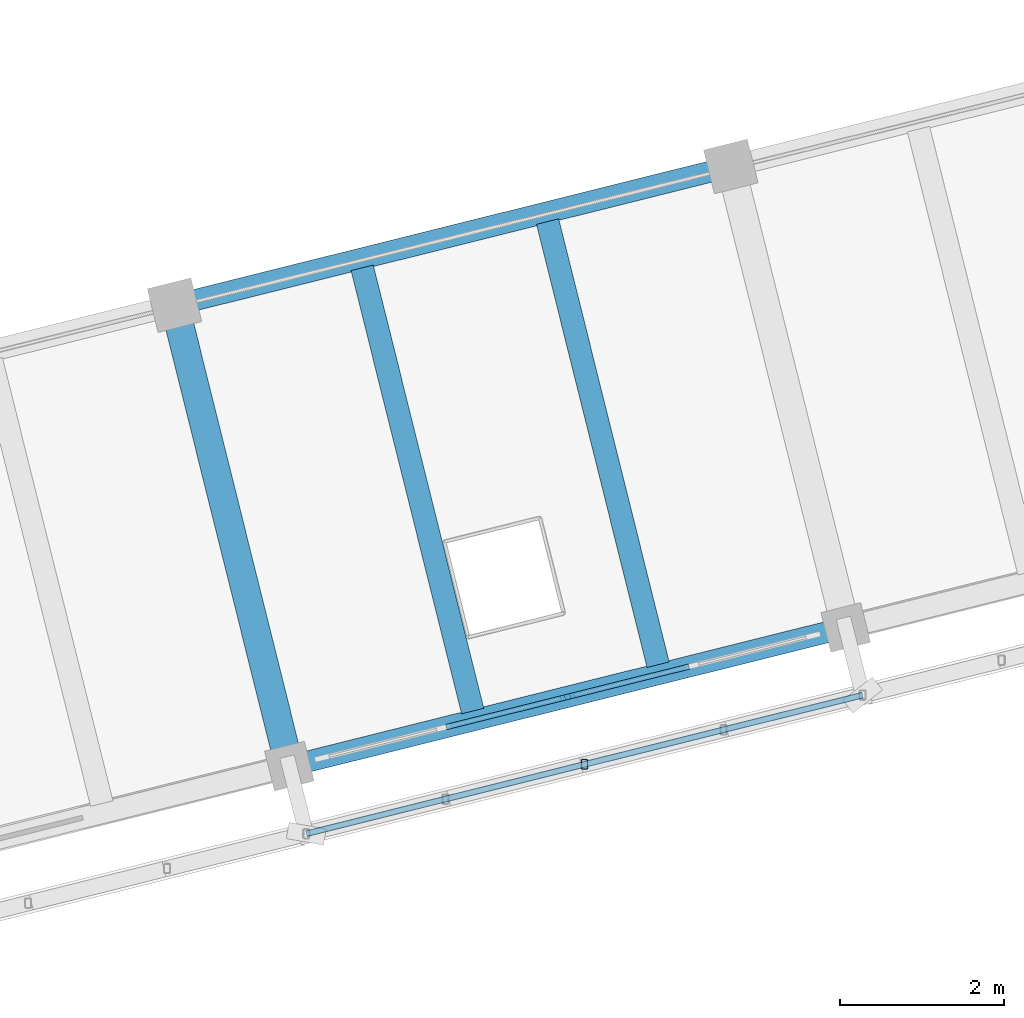
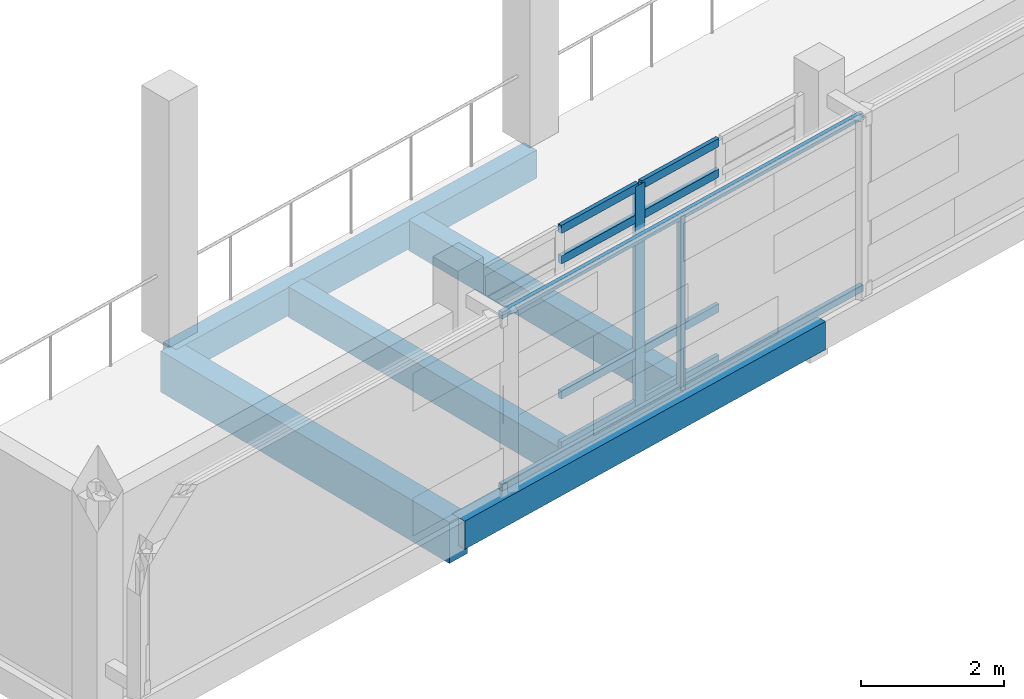
# One storey, part 6 of 137: 12 members, 5 beams, 1 element without a shape of its own.
"""IFC4 building model written with IfcOpenShell, lengths in metres."""

from ifc_helpers import new_model, si_unit, direction, frame, origin, origin_2d, place, context, subcontext, project, spatial, rectangle, hollow_rectangle, extrude, material, material_profile, profile_set, type_object, element, aggregate, save


model = new_model("IFC4")

# Units and contexts
model_context = context("Model", 3, precision=1e-05, world=origin(), true_north=direction((0.0, 1.0)))
body_context = subcontext(model_context, "Body", "Model", "MODEL_VIEW")
ifc_project = project(units=[si_unit("LENGTHUNIT", "METRE"), si_unit("AREAUNIT", "SQUARE_METRE"), si_unit("VOLUMEUNIT", "CUBIC_METRE"), si_unit("PLANEANGLEUNIT", "RADIAN"), si_unit("MASSUNIT", "GRAM", prefix="KILO")], contexts=[model_context])

# Site, building, storey
site_placement = place(None, origin())
site = spatial("IfcSite", under=ifc_project, at=site_placement, CompositionType="ELEMENT")
building_placement = place(site_placement, origin())
building = spatial("IfcBuilding", under=site, at=building_placement, Name="Cinderway Yard Community Centre", CompositionType="ELEMENT")
storey_placement = place(building_placement, frame((0.0, 0.0, 4.800048828125)))
storey = spatial("IfcBuildingStorey", under=building, at=storey_placement, Name="L01", CompositionType="ELEMENT", Elevation=4.800048828125)

# Curtain wall, members
ifc_material_1 = material(Name="Aluminium 6063-T6", Category="aluminium")
curtain_wall_type = type_object("IfcCurtainWallType", Name="ENV-CW-TYPE-05", PredefinedType="USERDEFINED", material=ifc_material_1)
curtain_wall_placement = place(storey_placement, origin())
curtain_wall = element("IfcCurtainWall", 1, at=curtain_wall_placement, inside=storey, type_object=curtain_wall_type, Name="Sanctuary South Curtain Wall ENV-CW-L01-HS-0017", ObjectType="GLAZED CURTAIN WALL", PredefinedType="USERDEFINED")
ifc_material_profile_1 = material_profile(ifc_material_1, rectangle(XDim=0.06494140625, YDim=0.179931640625, at=origin_2d()), Name="Aluminium 6063-T6")
ifc_profile_set_1 = profile_set([ifc_material_profile_1], Name="Aluminium 6063-T6")
member_type_1 = type_object("IfcMemberType", Name="ENV-CW-MULL-180", PredefinedType="MULLION", material=ifc_profile_set_1)
member_1_placement = place(storey_placement, frame((38.193115234375, 23.722412109375, 0.0), z_axis=(0.0, 0.0, 1.0), x_axis=(-0.241856748919, 0.970311966845, 0.0)))
member_1 = element("IfcMember", 2, at=member_1_placement, type_object=member_type_1, Name="CW-05 mullion 3", PredefinedType="MULLION", context=body_context, shape_type="SweptSolid", body=[
    extrude(rectangle(XDim=0.06494140625, YDim=0.179931640625, at=origin_2d()), origin(), (0.0, 0.0, 1.0), 3.75),
])
ifc_material_profile_2 = material_profile(ifc_material_1, rectangle(XDim=0.06494140625, YDim=0.139892578125, at=origin_2d()), Name="Aluminium 6063-T6")
ifc_profile_set_2 = profile_set([ifc_material_profile_2], Name="Aluminium 6063-T6")
member_type_2 = type_object("IfcMemberType", Name="ENV-CW-TRAN-140", PredefinedType="USERDEFINED", material=ifc_profile_set_2)
member_2_placement = place(storey_placement, frame((36.70849609375, 23.3525390625, 0.030029296875), z_axis=(0.970305057205, 0.241884468211, 0.0), x_axis=(-0.241884468211, 0.970305057205, 0.0)))
member_2 = element("IfcMember", 3, at=member_2_placement, type_object=member_type_2, Name="CW-05 transom 2.1", ObjectType="TRANSOM", PredefinedType="USERDEFINED", context=body_context, shape_type="SweptSolid", body=[
    extrude(rectangle(XDim=0.06494140625, YDim=0.139892578125, at=origin_2d()), origin(), (0.0, 0.0, 1.0), 1.499755859375),
])
member_3_placement = place(storey_placement, frame((36.70849609375, 23.3525390625, 0.89990234375), z_axis=(0.970305057205, 0.241884468211, 0.0), x_axis=(-0.241884468211, 0.970305057205, 0.0)))
member_3 = element("IfcMember", 4, at=member_3_placement, type_object=member_type_2, Name="CW-05 transom 2.2", ObjectType="TRANSOM", PredefinedType="USERDEFINED", context=body_context, shape_type="SweptSolid", body=[
    extrude(rectangle(XDim=0.06494140625, YDim=0.139892578125, at=origin_2d()), origin(), (0.0, 0.0, 1.0), 1.499755859375),
])
member_4_placement = place(storey_placement, frame((36.70849609375, 23.3525390625, 3.199951171875), z_axis=(0.970305057205, 0.241884468211, 0.0), x_axis=(-0.241884468211, 0.970305057205, 0.0)))
member_4 = element("IfcMember", 5, at=member_4_placement, type_object=member_type_2, Name="CW-05 transom 2.3", ObjectType="TRANSOM", PredefinedType="USERDEFINED", context=body_context, shape_type="SweptSolid", body=[
    extrude(rectangle(XDim=0.06494140625, YDim=0.139892578125, at=origin_2d()), origin(), (0.0, 0.0, 1.0), 1.499755859375),
])
member_5_placement = place(storey_placement, frame((36.70849609375, 23.3525390625, 3.719970703125), z_axis=(0.970305057205, 0.241884468211, 0.0), x_axis=(-0.241884468211, 0.970305057205, 0.0)))
member_5 = element("IfcMember", 6, at=member_5_placement, type_object=member_type_2, Name="CW-05 transom 2.4", ObjectType="TRANSOM", PredefinedType="USERDEFINED", context=body_context, shape_type="SweptSolid", body=[
    extrude(rectangle(XDim=0.06494140625, YDim=0.139892578125, at=origin_2d()), origin(), (0.0, 0.0, 1.0), 1.499755859375),
])
member_6_placement = place(storey_placement, frame((38.22216796875, 23.729736328125, 0.030029296875), z_axis=(0.970305057205, 0.241884468211, 0.0), x_axis=(-0.241884468211, 0.970305057205, 0.0)))
member_6 = element("IfcMember", 7, at=member_6_placement, type_object=member_type_2, Name="CW-05 transom 3.1", ObjectType="TRANSOM", PredefinedType="USERDEFINED", context=body_context, shape_type="SweptSolid", body=[
    extrude(rectangle(XDim=0.06494140625, YDim=0.139892578125, at=origin_2d()), origin(), (0.0, 0.0, 1.0), 1.499755859375),
])
member_7_placement = place(storey_placement, frame((38.22216796875, 23.729736328125, 0.89990234375), z_axis=(0.970305057205, 0.241884468211, 0.0), x_axis=(-0.241884468211, 0.970305057205, 0.0)))
member_7 = element("IfcMember", 8, at=member_7_placement, type_object=member_type_2, Name="CW-05 transom 3.2", ObjectType="TRANSOM", PredefinedType="USERDEFINED", context=body_context, shape_type="SweptSolid", body=[
    extrude(rectangle(XDim=0.06494140625, YDim=0.139892578125, at=origin_2d()), origin(), (0.0, 0.0, 1.0), 1.499755859375),
])
member_8_placement = place(storey_placement, frame((38.22216796875, 23.729736328125, 3.199951171875), z_axis=(0.970305057205, 0.241884468211, 0.0), x_axis=(-0.241884468211, 0.970305057205, 0.0)))
member_8 = element("IfcMember", 9, at=member_8_placement, type_object=member_type_2, Name="CW-05 transom 3.3", ObjectType="TRANSOM", PredefinedType="USERDEFINED", context=body_context, shape_type="SweptSolid", body=[
    extrude(rectangle(XDim=0.06494140625, YDim=0.139892578125, at=origin_2d()), origin(), (0.0, 0.0, 1.0), 1.499755859375),
])
member_9_placement = place(storey_placement, frame((38.22216796875, 23.729736328125, 3.719970703125), z_axis=(0.970305057205, 0.241884468211, 0.0), x_axis=(-0.241884468211, 0.970305057205, 0.0)))
member_9 = element("IfcMember", 10, at=member_9_placement, type_object=member_type_2, Name="CW-05 transom 3.4", ObjectType="TRANSOM", PredefinedType="USERDEFINED", context=body_context, shape_type="SweptSolid", body=[
    extrude(rectangle(XDim=0.06494140625, YDim=0.139892578125, at=origin_2d()), origin(), (0.0, 0.0, 1.0), 1.499755859375),
])
aggregate(curtain_wall, [member_1, member_2, member_3, member_4, member_5, member_6, member_7, member_8, member_9])

# Members
ifc_material_2 = material(Name="Steel S355", Category="steel")
ifc_material_profile_3 = material_profile(ifc_material_2, hollow_rectangle(XDim=0.080078125, YDim=0.1201171875, WallThickness=0.00634765625, InnerFilletRadius=0.00634765625, OuterFilletRadius=0.0126953125, at=origin_2d()), Name="Steel S355")
ifc_profile_set_3 = profile_set([ifc_material_profile_3], Name="Steel S355")
member_type_3 = type_object("IfcMemberType", Name="ENV-MEM-SCREEN-RAIL-120", PredefinedType="STRINGER", material=ifc_profile_set_3)
for number, where, z_axis, x_axis, name in (
    (11, (35.0029296875, 22.051025390625, 0.7099609375), (0.970314595111, 0.241846204259, 0.0), (-0.241846204259, 0.970314595111, 0.0), "Screen support rail 0834-BOT"),
    (12, (35.0029296875, 22.051025390625, 3.639892578125), (0.970314595111, 0.241846204259, 0.0), (-0.241846204259, 0.970314595111, 0.0), "Screen support rail 0835-TOP"),
):
    element("IfcMember", number, at=place(storey_placement, frame(where, z_axis=z_axis, x_axis=x_axis)), inside=storey, type_object=member_type_3, Name=name, PredefinedType="STRINGER", context=body_context, shape_type="SweptSolid", body=[
        extrude(hollow_rectangle(XDim=0.080078125, YDim=0.1201171875, WallThickness=0.00634765625, InnerFilletRadius=0.00634765625, OuterFilletRadius=0.0126953125, at=origin_2d()), origin(), (0.0, 0.0, 1.0), 6.999755859375),
    ])
member_10_placement = place(storey_placement, frame((38.39892578125, 22.89794921875, 0.68994140625), z_axis=(0.0, 0.0, 1.0), x_axis=(1.0, 0.0, 0.0)))
element("IfcMember", 13, at=member_10_placement, inside=storey, type_object=member_type_3, Name="Screen vertical mullion 0837", PredefinedType="STRINGER", context=body_context, shape_type="SweptSolid", body=[
    extrude(hollow_rectangle(XDim=0.080078125, YDim=0.1201171875, WallThickness=0.00634765625, InnerFilletRadius=0.00634765625, OuterFilletRadius=0.0126953125, at=origin_2d()), origin(), (0.0, 0.0, 1.0), 2.969970703125),
])

# Beams
ifc_material_3 = material(Name="Concrete C40/50", Category="concrete")
ifc_material_profile_4 = material_profile(ifc_material_3, rectangle(XDim=0.260009765625, YDim=0.47998046875, at=origin_2d()), Name="Concrete C40/50")
ifc_profile_set_4 = profile_set([ifc_material_profile_4], Name="Concrete C40/50")
beam_type_1 = type_object("IfcBeamType", Name="STR-BM-RC260X480", PredefinedType="SPANDREL", material=ifc_profile_set_4)
for number, where, z_axis, x_axis, name in (
    (14, (34.797119140625, 22.8759765625, -0.47998046875), (0.970306409839, 0.241879042136, 0.0), (-0.241879042136, 0.970306409839, 0.0), "Primary girder STR-BM-L01-SP01-0002"),
    (15, (33.39404296875, 28.50390625, -0.47998046875), (0.970306409839, 0.241879042136, 0.0), (-0.241879042136, 0.970306409839, 0.0), "Primary girder STR-BM-L01-SP01-0006"),
):
    element("IfcBeam", number, at=place(storey_placement, frame(where, z_axis=z_axis, x_axis=x_axis)), inside=storey, type_object=beam_type_1, Name=name, PredefinedType="SPANDREL", context=body_context, shape_type="SweptSolid", body=[
        extrude(rectangle(XDim=0.260009765625, YDim=0.47998046875, at=origin_2d()), origin(), (0.0, 0.0, 1.0), 6.999755859375),
    ])
ifc_material_4 = material(Name="Concrete C35/45", Category="concrete")
ifc_material_profile_5 = material_profile(ifc_material_4, rectangle(XDim=0.280029296875, YDim=0.52001953125, at=origin_2d()), Name="Concrete C35/45")
ifc_profile_set_5 = profile_set([ifc_material_profile_5], Name="Concrete C35/45")
beam_type_2 = type_object("IfcBeamType", Name="STR-BM-RC280X520", PredefinedType="JOIST", material=ifc_profile_set_5)
beam_1_placement = place(storey_placement, frame((37.033935546875, 23.549072265625, -0.5), z_axis=(-0.241886591041, 0.970304528009, 0.0), x_axis=(-0.970304528009, -0.241886591041, 0.0)))
element("IfcBeam", 16, at=beam_1_placement, inside=storey, type_object=beam_type_2, Name="Secondary joist STR-BM-L01-BJ04-0015", PredefinedType="JOIST", context=body_context, shape_type="SweptSolid", body=[
    extrude(rectangle(XDim=0.280029296875, YDim=0.52001953125, at=origin_2d()), origin(), (0.0, 0.0, 1.0), 5.576416015625),
])
beam_2_placement = place(storey_placement, frame((39.298095703125, 24.114013671875, -0.5), z_axis=(-0.241968923775, 0.970283999624, 0.0), x_axis=(-0.970283999624, -0.241968923775, 0.0)))
element("IfcBeam", 17, at=beam_2_placement, inside=storey, type_object=beam_type_2, Name="Secondary joist STR-BM-L01-BJ04-0016", PredefinedType="JOIST", context=body_context, shape_type="SweptSolid", body=[
    extrude(rectangle(XDim=0.280029296875, YDim=0.52001953125, at=origin_2d()), origin(), (0.0, 0.0, 1.0), 5.57568359375),
])
ifc_material_profile_6 = material_profile(ifc_material_4, rectangle(XDim=0.35009765625, YDim=0.699951171875, at=origin_2d()), Name="Concrete C35/45")
ifc_profile_set_6 = profile_set([ifc_material_profile_6], Name="Concrete C35/45")
beam_type_3 = type_object("IfcBeamType", Name="STR-BM-RC350X700", PredefinedType="BEAM", material=ifc_profile_set_6)
beam_3_placement = place(storey_placement, frame((34.797119140625, 22.8759765625, -0.590087890625), z_axis=(-0.2419017199, 0.97030075642, 0.0), x_axis=(-0.97030075642, -0.2419017199, 0.0)))
element("IfcBeam", 18, at=beam_3_placement, inside=storey, type_object=beam_type_3, Name="Transverse girder STR-BM-L01-BG07-0009", PredefinedType="BEAM", context=body_context, shape_type="SweptSolid", body=[
    extrude(rectangle(XDim=0.35009765625, YDim=0.699951171875, at=origin_2d()), origin(), (0.0, 0.0, 1.0), 5.80029296875),
])

save(model, "model.ifc")
